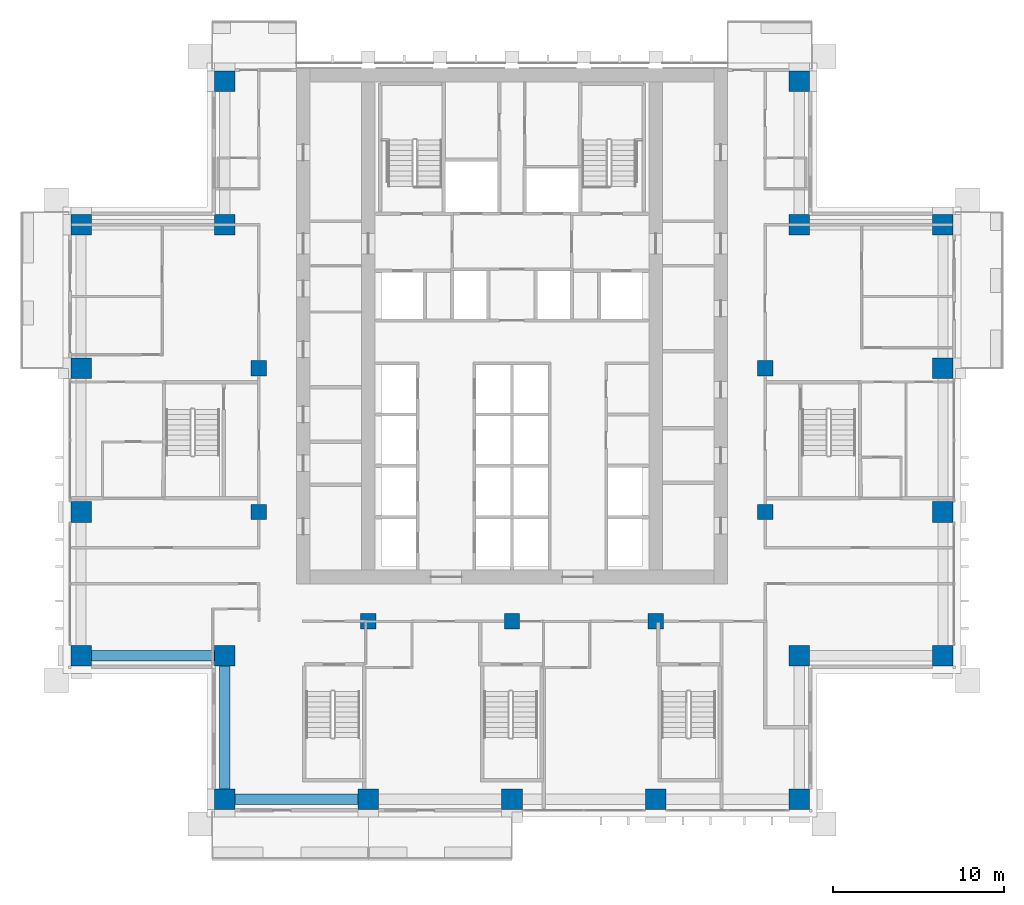
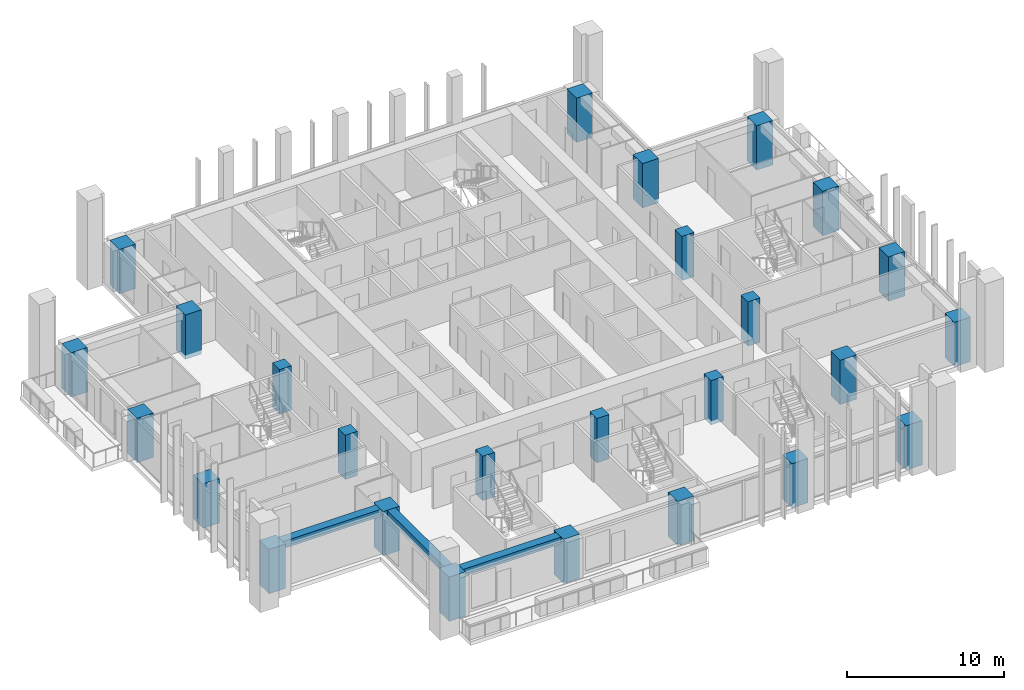
# One storey, part 1 of 17: 26 columns, 3 beams.
"""IFC4 building model written with IfcOpenShell, lengths in metres."""

import ifcopenshell
import ifcopenshell.guid

model = None  # the IFC model being written
_history = None  # IfcOwnerHistory: only IFC2X3 demands one
_inside = {}  # id of a spatial element -> (the spatial element, [elements in it])
_under = {}  # id of a project, library or spatial element -> (it, [spatial elements below it])
_declared = {}  # id of a project -> (the project, [libraries it declares])
_typed = {}  # id of a type object -> (the type object, [elements of that type])
_made_of = {}  # id of a material, layer set ... -> (it, [elements and type objects made of it])


def new_model(schema):
    """Start an empty IFC model of exactly this schema.

    Asked for "IFC4X3", IfcOpenShell would pick the latest addendum, in which some entities
    have other attributes; the version numbers below select the first issue.
    IFC2X3 requires an IfcOwnerHistory on every rooted entity: one is made here for all.
    """
    global model, _history
    if schema == "IFC4X3":
        model = ifcopenshell.file(schema_version=(4, 3, 0, 0))
    else:
        model = ifcopenshell.file(schema=schema)
    _inside.clear()
    _under.clear()
    _declared.clear()
    _typed.clear()
    _made_of.clear()
    _history = None
    if model.schema == "IFC2X3":
        org = make("IfcOrganization", Name="unknown")
        user = make(
            "IfcPersonAndOrganization",
            ThePerson=make("IfcPerson", FamilyName="unknown"),
            TheOrganization=org,
        )
        app = make(
            "IfcApplication",
            ApplicationDeveloper=org,
            Version="unknown",
            ApplicationFullName="unknown",
            ApplicationIdentifier="unknown",
        )
        _history = make(
            "IfcOwnerHistory",
            OwningUser=user,
            OwningApplication=app,
            ChangeAction="ADDED",
            CreationDate=0,
        )
    return model


def make(cls, **values):
    """One entity of the class cls with the attributes given. An attribute that is None is left unset."""
    return model.create_entity(
        cls, **{name: value for name, value in values.items() if value is not None}
    )


def rooted(cls, **values):
    """An entity with a GlobalId (a new one), such as an element, a storey or a relation."""
    return make(cls, GlobalId=ifcopenshell.guid.new(), OwnerHistory=_history, **values)


def si_unit(unit_type, name, prefix=None):
    """IfcSIUnit, for example si_unit("LENGTHUNIT", "METRE", prefix="MILLI")."""
    return make("IfcSIUnit", UnitType=unit_type, Prefix=prefix, Name=name)


def assignment(units):
    """IfcUnitAssignment: the units of a project."""
    return None if units is None else make("IfcUnitAssignment", Units=units)


def point(xyz):
    """IfcCartesianPoint."""
    return None if xyz is None else make("IfcCartesianPoint", Coordinates=xyz)


def direction(xyz):
    """IfcDirection."""
    return None if xyz is None else make("IfcDirection", DirectionRatios=xyz)


def frame(location, z_axis=None, x_axis=None):
    """IfcAxis2Placement3D, a coordinate frame: its origin and axes. An axis left out is left unset."""
    return make(
        "IfcAxis2Placement3D",
        Location=point(location),
        Axis=direction(z_axis),
        RefDirection=direction(x_axis),
    )


def frame_2d(location, x_axis=None):
    """IfcAxis2Placement2D, a coordinate frame in the plane: its origin and x axis."""
    return make(
        "IfcAxis2Placement2D", Location=point(location), RefDirection=direction(x_axis)
    )


def origin():
    """The frame at (0, 0, 0) with its axes left unset."""
    return frame((0.0, 0.0, 0.0))


def origin_2d():
    """The frame at (0, 0) in the plane with its x axis left unset."""
    return frame_2d((0.0, 0.0))


def place(relative_to, where):
    """IfcLocalPlacement: puts the frame where relative to a parent placement (None: the world)."""
    return make(
        "IfcLocalPlacement", PlacementRelTo=relative_to, RelativePlacement=where
    )


def context(
    kind, dimensions, precision=None, world=None, true_north=None, identifier=None
):
    """IfcGeometricRepresentationContext, for example the 3D "Model" context."""
    return make(
        "IfcGeometricRepresentationContext",
        ContextIdentifier=identifier,
        ContextType=kind,
        CoordinateSpaceDimension=dimensions,
        Precision=precision,
        WorldCoordinateSystem=world,
        TrueNorth=true_north,
    )


def subcontext(parent, identifier, kind, view, scale=None):
    """IfcGeometricRepresentationSubContext, for example "Body" below "Model"."""
    return make(
        "IfcGeometricRepresentationSubContext",
        ContextIdentifier=identifier,
        ContextType=kind,
        ParentContext=parent,
        TargetScale=scale,
        TargetView=view,
    )


def project(units=None, contexts=None):
    """IfcProject with its units and contexts."""
    return rooted(
        "IfcProject",
        Name="project",
        RepresentationContexts=contexts,
        UnitsInContext=assignment(units),
    )


def spatial(cls, under=None, at=None, **own):
    """A site, building, storey or space (cls), placed at a placement, below another one or the project."""
    s = rooted(cls, ObjectPlacement=at, **own)
    if under is not None:
        _under.setdefault(under.id(), (under, []))[1].append(s)
    return s


def profile(cls, at=None, kind="AREA", **sizes):
    """A parametric profile (cls). Its sizes go by their IFC names, for example OverallWidth=200.0."""
    return make(cls, ProfileType=kind, Position=at, **sizes)


def rectangle(**sizes):
    """IfcRectangleProfileDef."""
    return profile("IfcRectangleProfileDef", **sizes)


def extrude(swept, where, along, depth):
    """IfcExtrudedAreaSolid: the profile swept, set in the frame where, extruded along a direction by depth."""
    return make(
        "IfcExtrudedAreaSolid",
        SweptArea=swept,
        Position=where,
        ExtrudedDirection=direction(along),
        Depth=depth,
    )


def shape(context_of_items, identifier, shape_type, items):
    """IfcShapeRepresentation: the items that make up one representation, for example the "Body"."""
    return make(
        "IfcShapeRepresentation",
        ContextOfItems=context_of_items,
        RepresentationIdentifier=identifier,
        RepresentationType=shape_type,
        Items=items,
    )


def material(Name=None, Category=None):
    """IfcMaterial."""
    return make("IfcMaterial", Name=Name, Category=Category)


def material_profile(
    of_material, cross_section, Name=None, Category=None, Priority=None
):
    """IfcMaterialProfile: a cross section and its material."""
    return make(
        "IfcMaterialProfile",
        Name=Name,
        Material=of_material,
        Profile=cross_section,
        Priority=Priority,
        Category=Category,
    )


def profile_set(profiles, Name=None, composite=None):
    """IfcMaterialProfileSet."""
    return make(
        "IfcMaterialProfileSet",
        Name=Name,
        MaterialProfiles=profiles,
        CompositeProfile=composite,
    )


def made_of(thing, what):
    """Note that an element or type object is made of a material, layer set ...; save() writes the relation."""
    if what is not None:
        _made_of.setdefault(what.id(), (what, []))[1].append(thing)
    return thing


def type_object(cls, material=None, **own):
    """A type object (cls), such as IfcWallType, which elements share."""
    return made_of(rooted(cls, **own), material)


def element(
    cls,
    number,
    at=None,
    inside=None,
    cuts=None,
    type_object=None,
    material=None,
    context=None,
    identifier="Body",
    shape_type=None,
    held_by="IfcProductDefinitionShape",
    body=None,
    shapes=None,
    **own,
):
    """One element of the class cls, such as IfcWall. Its Tag is "e" and its number.

    at: its placement. inside: the storey or other place that contains it. cuts: it is an
    opening in that element (IfcRelVoidsElement). A single representation is given by context,
    identifier, shape_type and body (its items); several are given by shapes. held_by: the class
    of the entity that holds the representations. save() writes the other relations.
    """
    e = rooted(cls, Tag="e%d" % number, ObjectPlacement=at, **own)
    if body is not None:
        shapes = [shape(context, identifier, shape_type, body)]
    if shapes is not None:
        e.Representation = make(held_by, Representations=shapes)
    if inside is not None:
        _inside.setdefault(inside.id(), (inside, []))[1].append(e)
    if cuts is not None:
        rooted(
            "IfcRelVoidsElement", RelatingBuildingElement=cuts, RelatedOpeningElement=e
        )
    if type_object is not None:
        _typed.setdefault(type_object.id(), (type_object, []))[1].append(e)
    return made_of(e, material)


def aggregate(whole, parts):
    """IfcRelAggregates: a whole, such as a stair, and the parts it consists of."""
    return rooted("IfcRelAggregates", RelatingObject=whole, RelatedObjects=parts)


def save(model, path):
    """Write the relations noted so far, then the file.

    IfcRelAggregates (storeys below a building ...), IfcRelContainedInSpatialStructure (elements
    in a storey), IfcRelDefinesByType, IfcRelAssociatesMaterial and IfcRelDeclares: one each for
    every whole, place, type object, material and project.
    """
    for whole, parts in _under.values():
        aggregate(whole, parts)
    for where, things in _inside.values():
        rooted(
            "IfcRelContainedInSpatialStructure",
            RelatedElements=things,
            RelatingStructure=where,
        )
    for kind, things in _typed.values():
        rooted("IfcRelDefinesByType", RelatedObjects=things, RelatingType=kind)
    for what, things in _made_of.values():
        rooted("IfcRelAssociatesMaterial", RelatedObjects=things, RelatingMaterial=what)
    for by, libraries in _declared.values():
        rooted("IfcRelDeclares", RelatingContext=by, RelatedDefinitions=libraries)
    model.write(path)


model = new_model("IFC4")

# Units and contexts
model_context = context("Model", 3, precision=1e-05, world=origin(), true_north=direction((0.0, 1.0)))
body_context = subcontext(model_context, "Body", "Model", "MODEL_VIEW")
ifc_project = project(units=[si_unit("LENGTHUNIT", "METRE"), si_unit("AREAUNIT", "SQUARE_METRE"), si_unit("VOLUMEUNIT", "CUBIC_METRE"), si_unit("PLANEANGLEUNIT", "RADIAN"), si_unit("MASSUNIT", "GRAM", prefix="KILO")], contexts=[model_context])

# Site, building, storey
site_placement = place(None, origin())
site = spatial("IfcSite", under=ifc_project, at=site_placement, CompositionType="ELEMENT")
building_placement = place(site_placement, origin())
building = spatial("IfcBuilding", under=site, at=building_placement, Name="Vermilion Ogive Tower", CompositionType="ELEMENT")
storey_placement = place(building_placement, frame((0.0, 0.0, 111.449951171875)))
storey = spatial("IfcBuildingStorey", under=building, at=storey_placement, Name="L28", CompositionType="ELEMENT", Elevation=111.449951171875)

# Columns
ifc_material_1 = material(Name="Concrete B80", Category="concrete")
ifc_material_profile_1 = material_profile(ifc_material_1, rectangle(XDim=1.199951171875, YDim=1.199951171875, at=origin_2d()), Name="1200 x 1200")
ifc_profile_set_1 = profile_set([ifc_material_profile_1], Name="Concrete B80")
column_type_1 = type_object("IfcColumnType", Name="Perimeter column 1200 x 1200 B80", PredefinedType="COLUMN", material=ifc_profile_set_1)
for number, where, z_axis, x_axis, name in (
    (1, (-16.800048828125, -21.0, -0.320068359375), (0.0, 0.0, 1.0), (1.0, 0.0, 0.0), "COL-L28-P-0168-210"),
    (2, (-8.39990234375, -21.0, -0.320068359375), (0.0, 0.0, 1.0), (1.0, 0.0, 0.0), "COL-L28-P-0084-210"),
    (3, (0.0, -21.0, -0.320068359375), (0.0, 0.0, 1.0), (1.0, 0.0, 0.0), "COL-L28-P+0000-210"),
    (4, (8.39990234375, -21.0, -0.320068359375), (0.0, 0.0, 1.0), (1.0, 0.0, 0.0), "COL-L28-P+0084-210"),
    (5, (16.800048828125, -21.0, -0.320068359375), (0.0, 0.0, 1.0), (1.0, 0.0, 0.0), "COL-L28-P+0168-210"),
    (6, (-25.199951171875, -12.60009765625, -0.320068359375), (0.0, 0.0, 1.0), (1.0, 0.0, 0.0), "COL-L28-P-0252-126"),
    (7, (-16.800048828125, -12.60009765625, -0.320068359375), (0.0, 0.0, 1.0), (1.0, 0.0, 0.0), "COL-L28-P-0168-126"),
    (8, (16.800048828125, -12.60009765625, -0.320068359375), (0.0, 0.0, 1.0), (1.0, 0.0, 0.0), "COL-L28-P+0168-126"),
    (9, (25.199951171875, -12.60009765625, -0.320068359375), (0.0, 0.0, 1.0), (1.0, 0.0, 0.0), "COL-L28-P+0252-126"),
    (10, (-25.199951171875, -4.199951171875, -0.320068359375), (0.0, 0.0, 1.0), (1.0, 0.0, 0.0), "COL-L28-P-0252-042"),
    (11, (25.199951171875, -4.199951171875, -0.320068359375), (0.0, 0.0, 1.0), (1.0, 0.0, 0.0), "COL-L28-P+0252-042"),
    (12, (-25.199951171875, 4.199951171875, -0.320068359375), (0.0, 0.0, 1.0), (1.0, 0.0, 0.0), "COL-L28-P-0252+042"),
    (13, (25.199951171875, 4.199951171875, -0.320068359375), (0.0, 0.0, 1.0), (1.0, 0.0, 0.0), "COL-L28-P+0252+042"),
    (14, (-25.199951171875, 12.60009765625, -0.320068359375), (0.0, 0.0, 1.0), (1.0, 0.0, 0.0), "COL-L28-P-0252+126"),
    (15, (-16.800048828125, 12.60009765625, -0.320068359375), (0.0, 0.0, 1.0), (1.0, 0.0, 0.0), "COL-L28-P-0168+126"),
    (16, (16.800048828125, 12.60009765625, -0.320068359375), (0.0, 0.0, 1.0), (1.0, 0.0, 0.0), "COL-L28-P+0168+126"),
    (17, (25.199951171875, 12.60009765625, -0.320068359375), (0.0, 0.0, 1.0), (1.0, 0.0, 0.0), "COL-L28-P+0252+126"),
    (18, (-16.800048828125, 21.0, -0.320068359375), (0.0, 0.0, 1.0), (1.0, 0.0, 0.0), "COL-L28-P-0168+210"),
    (19, (16.800048828125, 21.0, -0.320068359375), (0.0, 0.0, 1.0), (1.0, 0.0, 0.0), "COL-L28-P+0168+210"),
):
    element("IfcColumn", number, at=place(storey_placement, frame(where, z_axis=z_axis, x_axis=x_axis)), inside=storey, type_object=column_type_1, Name=name, PredefinedType="COLUMN", context=body_context, shape_type="SweptSolid", body=[
        extrude(rectangle(XDim=1.199951171875, YDim=1.199951171875, at=origin_2d()), origin(), (0.0, 0.0, 1.0), 3.4501953125),
    ])
ifc_material_2 = material(Name="Concrete B80", Category="concrete")
ifc_material_profile_2 = material_profile(ifc_material_2, rectangle(XDim=0.89990234375, YDim=0.89990234375, at=origin_2d()), Name="900 x 900")
ifc_profile_set_2 = profile_set([ifc_material_profile_2], Name="Concrete B80")
column_type_2 = type_object("IfcColumnType", Name="Ring column 900 x 900 B80", PredefinedType="COLUMN", material=ifc_profile_set_2)
for number, where, z_axis, x_axis, name in (
    (20, (-8.39990234375, -10.60009765625, -0.320068359375), (0.0, 0.0, 1.0), (1.0, 0.0, 0.0), "COL-L28-R-0084-106"),
    (21, (0.0, -10.60009765625, -0.320068359375), (0.0, 0.0, 1.0), (1.0, 0.0, 0.0), "COL-L28-R+0000-106"),
    (22, (8.39990234375, -10.60009765625, -0.320068359375), (0.0, 0.0, 1.0), (1.0, 0.0, 0.0), "COL-L28-R+0084-106"),
    (23, (-14.800048828125, -4.199951171875, -0.320068359375), (0.0, 0.0, 1.0), (1.0, 0.0, 0.0), "COL-L28-R-0148-042"),
    (24, (14.800048828125, -4.199951171875, -0.320068359375), (0.0, 0.0, 1.0), (1.0, 0.0, 0.0), "COL-L28-R+0148-042"),
    (25, (-14.800048828125, 4.199951171875, -0.320068359375), (0.0, 0.0, 1.0), (1.0, 0.0, 0.0), "COL-L28-R-0148+042"),
    (26, (14.800048828125, 4.199951171875, -0.320068359375), (0.0, 0.0, 1.0), (1.0, 0.0, 0.0), "COL-L28-R+0148+042"),
):
    element("IfcColumn", number, at=place(storey_placement, frame(where, z_axis=z_axis, x_axis=x_axis)), inside=storey, type_object=column_type_2, Name=name, PredefinedType="COLUMN", context=body_context, shape_type="SweptSolid", body=[
        extrude(rectangle(XDim=0.89990234375, YDim=0.89990234375, at=origin_2d()), origin(), (0.0, 0.0, 1.0), 3.4501953125),
    ])

# Beams
ifc_material_3 = material(Name="Concrete B45", Category="concrete")
ifc_material_profile_3 = material_profile(ifc_material_3, rectangle(XDim=0.60009765625, YDim=0.550048828125, at=origin_2d()), Name="600 x 550")
ifc_profile_set_3 = profile_set([ifc_material_profile_3], Name="Concrete B45")
beam_type = type_object("IfcBeamType", Name="Edge beam 600 x 550 B45", PredefinedType="BEAM", material=ifc_profile_set_3)
beam_1_placement = place(storey_placement, frame((-16.199951171875, -21.0, 2.85498046875), z_axis=(1.0, 0.0, 0.0), x_axis=(0.0, 1.0, 0.0)))
element("IfcBeam", 27, at=beam_1_placement, inside=storey, type_object=beam_type, Name="L28-EB-1", PredefinedType="BEAM", context=body_context, shape_type="SweptSolid", body=[
    extrude(rectangle(XDim=0.60009765625, YDim=0.550048828125, at=origin_2d()), origin(), (0.0, 0.0, 1.0), 7.199951171875),
])
beam_2_placement = place(storey_placement, frame((-24.60009765625, -12.60009765625, 2.85498046875), z_axis=(1.0, 0.0, 0.0), x_axis=(0.0, 1.0, 0.0)))
element("IfcBeam", 28, at=beam_2_placement, inside=storey, type_object=beam_type, Name="L28-EB-17", PredefinedType="BEAM", context=body_context, shape_type="SweptSolid", body=[
    extrude(rectangle(XDim=0.60009765625, YDim=0.550048828125, at=origin_2d()), origin(), (0.0, 0.0, 1.0), 7.2001953125),
])
beam_3_placement = place(storey_placement, frame((-16.800048828125, -13.199951171875, 2.85498046875), z_axis=(0.0, -1.0, 0.0), x_axis=(1.0, 0.0, 0.0)))
element("IfcBeam", 29, at=beam_3_placement, inside=storey, type_object=beam_type, Name="L28-EB-18", PredefinedType="BEAM", context=body_context, shape_type="SweptSolid", body=[
    extrude(rectangle(XDim=0.60009765625, YDim=0.550048828125, at=origin_2d()), origin(), (0.0, 0.0, 1.0), 7.199951171875),
])

save(model, "model.ifc")
